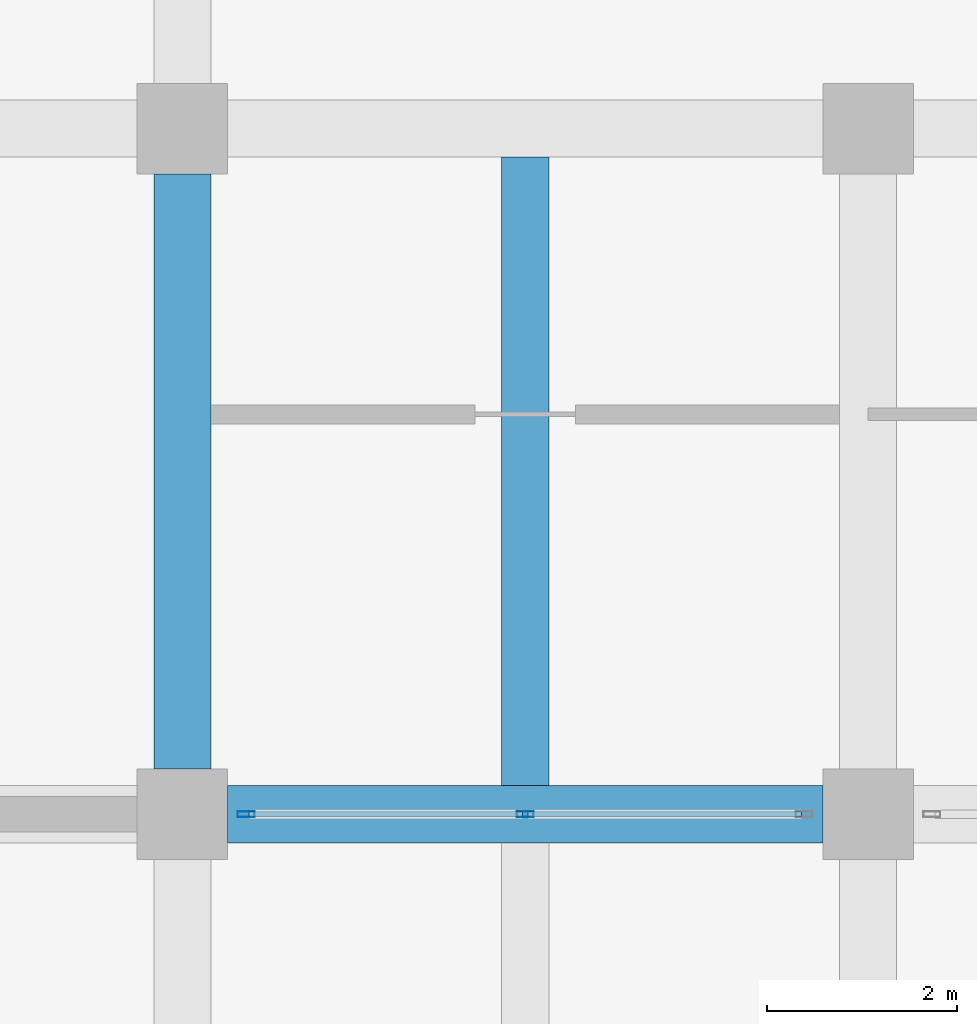
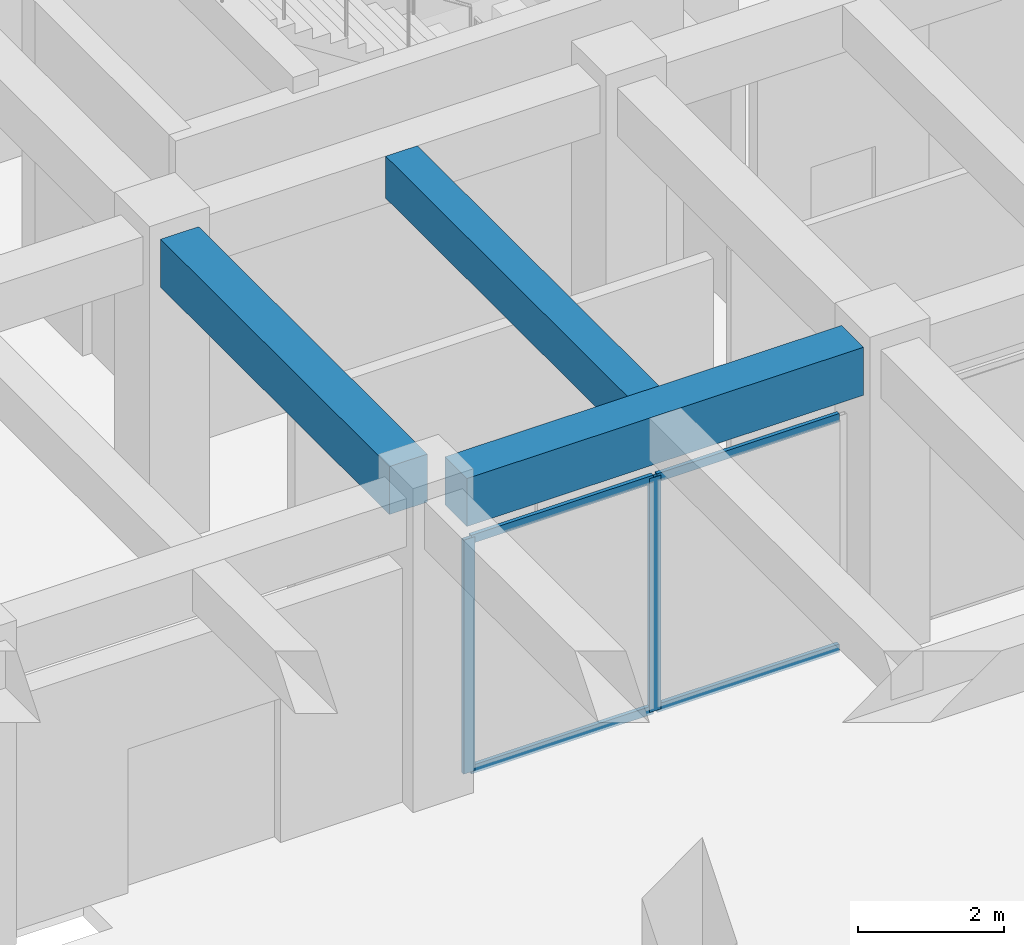
# One storey, part 4 of 56: 6 members, 3 beams, 1 element without a shape of its own.
"""IFC4 building model written with IfcOpenShell, lengths in metres."""

import ifcopenshell
import ifcopenshell.guid

model = None  # the IFC model being written
_history = None  # IfcOwnerHistory: only IFC2X3 demands one
_inside = {}  # id of a spatial element -> (the spatial element, [elements in it])
_under = {}  # id of a project, library or spatial element -> (it, [spatial elements below it])
_declared = {}  # id of a project -> (the project, [libraries it declares])
_typed = {}  # id of a type object -> (the type object, [elements of that type])
_made_of = {}  # id of a material, layer set ... -> (it, [elements and type objects made of it])


def new_model(schema):
    """Start an empty IFC model of exactly this schema.

    Asked for "IFC4X3", IfcOpenShell would pick the latest addendum, in which some entities
    have other attributes; the version numbers below select the first issue.
    IFC2X3 requires an IfcOwnerHistory on every rooted entity: one is made here for all.
    """
    global model, _history
    if schema == "IFC4X3":
        model = ifcopenshell.file(schema_version=(4, 3, 0, 0))
    else:
        model = ifcopenshell.file(schema=schema)
    _inside.clear()
    _under.clear()
    _declared.clear()
    _typed.clear()
    _made_of.clear()
    _history = None
    if model.schema == "IFC2X3":
        org = make("IfcOrganization", Name="unknown")
        user = make(
            "IfcPersonAndOrganization",
            ThePerson=make("IfcPerson", FamilyName="unknown"),
            TheOrganization=org,
        )
        app = make(
            "IfcApplication",
            ApplicationDeveloper=org,
            Version="unknown",
            ApplicationFullName="unknown",
            ApplicationIdentifier="unknown",
        )
        _history = make(
            "IfcOwnerHistory",
            OwningUser=user,
            OwningApplication=app,
            ChangeAction="ADDED",
            CreationDate=0,
        )
    return model


def make(cls, **values):
    """One entity of the class cls with the attributes given. An attribute that is None is left unset."""
    return model.create_entity(
        cls, **{name: value for name, value in values.items() if value is not None}
    )


def rooted(cls, **values):
    """An entity with a GlobalId (a new one), such as an element, a storey or a relation."""
    return make(cls, GlobalId=ifcopenshell.guid.new(), OwnerHistory=_history, **values)


def si_unit(unit_type, name, prefix=None):
    """IfcSIUnit, for example si_unit("LENGTHUNIT", "METRE", prefix="MILLI")."""
    return make("IfcSIUnit", UnitType=unit_type, Prefix=prefix, Name=name)


def assignment(units):
    """IfcUnitAssignment: the units of a project."""
    return None if units is None else make("IfcUnitAssignment", Units=units)


def point(xyz):
    """IfcCartesianPoint."""
    return None if xyz is None else make("IfcCartesianPoint", Coordinates=xyz)


def direction(xyz):
    """IfcDirection."""
    return None if xyz is None else make("IfcDirection", DirectionRatios=xyz)


def frame(location, z_axis=None, x_axis=None):
    """IfcAxis2Placement3D, a coordinate frame: its origin and axes. An axis left out is left unset."""
    return make(
        "IfcAxis2Placement3D",
        Location=point(location),
        Axis=direction(z_axis),
        RefDirection=direction(x_axis),
    )


def frame_2d(location, x_axis=None):
    """IfcAxis2Placement2D, a coordinate frame in the plane: its origin and x axis."""
    return make(
        "IfcAxis2Placement2D", Location=point(location), RefDirection=direction(x_axis)
    )


def origin():
    """The frame at (0, 0, 0) with its axes left unset."""
    return frame((0.0, 0.0, 0.0))


def origin_2d():
    """The frame at (0, 0) in the plane with its x axis left unset."""
    return frame_2d((0.0, 0.0))


def place(relative_to, where):
    """IfcLocalPlacement: puts the frame where relative to a parent placement (None: the world)."""
    return make(
        "IfcLocalPlacement", PlacementRelTo=relative_to, RelativePlacement=where
    )


def context(
    kind, dimensions, precision=None, world=None, true_north=None, identifier=None
):
    """IfcGeometricRepresentationContext, for example the 3D "Model" context."""
    return make(
        "IfcGeometricRepresentationContext",
        ContextIdentifier=identifier,
        ContextType=kind,
        CoordinateSpaceDimension=dimensions,
        Precision=precision,
        WorldCoordinateSystem=world,
        TrueNorth=true_north,
    )


def subcontext(parent, identifier, kind, view, scale=None):
    """IfcGeometricRepresentationSubContext, for example "Body" below "Model"."""
    return make(
        "IfcGeometricRepresentationSubContext",
        ContextIdentifier=identifier,
        ContextType=kind,
        ParentContext=parent,
        TargetScale=scale,
        TargetView=view,
    )


def project(units=None, contexts=None):
    """IfcProject with its units and contexts."""
    return rooted(
        "IfcProject",
        Name="project",
        RepresentationContexts=contexts,
        UnitsInContext=assignment(units),
    )


def spatial(cls, under=None, at=None, **own):
    """A site, building, storey or space (cls), placed at a placement, below another one or the project."""
    s = rooted(cls, ObjectPlacement=at, **own)
    if under is not None:
        _under.setdefault(under.id(), (under, []))[1].append(s)
    return s


def profile(cls, at=None, kind="AREA", **sizes):
    """A parametric profile (cls). Its sizes go by their IFC names, for example OverallWidth=200.0."""
    return make(cls, ProfileType=kind, Position=at, **sizes)


def rectangle(**sizes):
    """IfcRectangleProfileDef."""
    return profile("IfcRectangleProfileDef", **sizes)


def hollow_rectangle(**sizes):
    """IfcRectangleHollowProfileDef."""
    return profile("IfcRectangleHollowProfileDef", **sizes)


def extrude(swept, where, along, depth):
    """IfcExtrudedAreaSolid: the profile swept, set in the frame where, extruded along a direction by depth."""
    return make(
        "IfcExtrudedAreaSolid",
        SweptArea=swept,
        Position=where,
        ExtrudedDirection=direction(along),
        Depth=depth,
    )


def shape(context_of_items, identifier, shape_type, items):
    """IfcShapeRepresentation: the items that make up one representation, for example the "Body"."""
    return make(
        "IfcShapeRepresentation",
        ContextOfItems=context_of_items,
        RepresentationIdentifier=identifier,
        RepresentationType=shape_type,
        Items=items,
    )


def material(Name=None, Category=None):
    """IfcMaterial."""
    return make("IfcMaterial", Name=Name, Category=Category)


def material_profile(
    of_material, cross_section, Name=None, Category=None, Priority=None
):
    """IfcMaterialProfile: a cross section and its material."""
    return make(
        "IfcMaterialProfile",
        Name=Name,
        Material=of_material,
        Profile=cross_section,
        Priority=Priority,
        Category=Category,
    )


def profile_set(profiles, Name=None, composite=None):
    """IfcMaterialProfileSet."""
    return make(
        "IfcMaterialProfileSet",
        Name=Name,
        MaterialProfiles=profiles,
        CompositeProfile=composite,
    )


def made_of(thing, what):
    """Note that an element or type object is made of a material, layer set ...; save() writes the relation."""
    if what is not None:
        _made_of.setdefault(what.id(), (what, []))[1].append(thing)
    return thing


def type_object(cls, material=None, **own):
    """A type object (cls), such as IfcWallType, which elements share."""
    return made_of(rooted(cls, **own), material)


def element(
    cls,
    number,
    at=None,
    inside=None,
    cuts=None,
    type_object=None,
    material=None,
    context=None,
    identifier="Body",
    shape_type=None,
    held_by="IfcProductDefinitionShape",
    body=None,
    shapes=None,
    **own,
):
    """One element of the class cls, such as IfcWall. Its Tag is "e" and its number.

    at: its placement. inside: the storey or other place that contains it. cuts: it is an
    opening in that element (IfcRelVoidsElement). A single representation is given by context,
    identifier, shape_type and body (its items); several are given by shapes. held_by: the class
    of the entity that holds the representations. save() writes the other relations.
    """
    e = rooted(cls, Tag="e%d" % number, ObjectPlacement=at, **own)
    if body is not None:
        shapes = [shape(context, identifier, shape_type, body)]
    if shapes is not None:
        e.Representation = make(held_by, Representations=shapes)
    if inside is not None:
        _inside.setdefault(inside.id(), (inside, []))[1].append(e)
    if cuts is not None:
        rooted(
            "IfcRelVoidsElement", RelatingBuildingElement=cuts, RelatedOpeningElement=e
        )
    if type_object is not None:
        _typed.setdefault(type_object.id(), (type_object, []))[1].append(e)
    return made_of(e, material)


def aggregate(whole, parts):
    """IfcRelAggregates: a whole, such as a stair, and the parts it consists of."""
    return rooted("IfcRelAggregates", RelatingObject=whole, RelatedObjects=parts)


def save(model, path):
    """Write the relations noted so far, then the file.

    IfcRelAggregates (storeys below a building ...), IfcRelContainedInSpatialStructure (elements
    in a storey), IfcRelDefinesByType, IfcRelAssociatesMaterial and IfcRelDeclares: one each for
    every whole, place, type object, material and project.
    """
    for whole, parts in _under.values():
        aggregate(whole, parts)
    for where, things in _inside.values():
        rooted(
            "IfcRelContainedInSpatialStructure",
            RelatedElements=things,
            RelatingStructure=where,
        )
    for kind, things in _typed.values():
        rooted("IfcRelDefinesByType", RelatedObjects=things, RelatingType=kind)
    for what, things in _made_of.values():
        rooted("IfcRelAssociatesMaterial", RelatedObjects=things, RelatingMaterial=what)
    for by, libraries in _declared.values():
        rooted("IfcRelDeclares", RelatingContext=by, RelatedDefinitions=libraries)
    model.write(path)


model = new_model("IFC4")

# Units and contexts
model_context = context("Model", 3, precision=1e-05, world=origin(), true_north=direction((0.0, 1.0)))
body_context = subcontext(model_context, "Body", "Model", "MODEL_VIEW")
ifc_project = project(units=[si_unit("LENGTHUNIT", "METRE"), si_unit("AREAUNIT", "SQUARE_METRE"), si_unit("VOLUMEUNIT", "CUBIC_METRE"), si_unit("PLANEANGLEUNIT", "RADIAN"), si_unit("MASSUNIT", "GRAM", prefix="KILO")], contexts=[model_context])

# Site, building, storey
site_placement = place(None, origin())
site = spatial("IfcSite", under=ifc_project, at=site_placement, CompositionType="ELEMENT")
building_placement = place(site_placement, origin())
building = spatial("IfcBuilding", under=site, at=building_placement, Name="Kazehaya Institute of Natural Sciences", CompositionType="ELEMENT")
storey_placement = place(building_placement, origin())
storey = spatial("IfcBuildingStorey", under=building, at=storey_placement, Name="L00", CompositionType="ELEMENT", Elevation=0.0)

# Beams
ifc_material_1 = material(Name="Concrete Fc36", Category="concrete")
ifc_material_profile_1 = material_profile(ifc_material_1, rectangle(XDim=0.60009765625, YDim=0.800048828125, at=origin_2d()), Name="RC-600x800")
ifc_profile_set_1 = profile_set([ifc_material_profile_1], Name="Concrete Fc36")
beam_type_1 = type_object("IfcBeamType", Name="BM-G-600x800", PredefinedType="BEAM", material=ifc_profile_set_1)
for number, where, z_axis, x_axis, name in (
    (1, (62.27490234375, 14.0, 4.72998046875), (1.0, 0.0, 0.0), (0.0, 1.0, 0.0), "L00 primary X girder BMX-L00-618-140"),
    (2, (61.800048828125, 14.47509765625, 4.72998046875), (0.0, 1.0, 0.0), (-1.0, 0.0, 0.0), "L00 primary Y girder BMY-L00-618-140"),
):
    element("IfcBeam", number, at=place(storey_placement, frame(where, z_axis=z_axis, x_axis=x_axis)), inside=storey, type_object=beam_type_1, Name=name, PredefinedType="BEAM", context=body_context, shape_type="SweptSolid", body=[
        extrude(rectangle(XDim=0.60009765625, YDim=0.800048828125, at=origin_2d()), origin(), (0.0, 0.0, 1.0), 6.25),
    ])
ifc_material_profile_2 = material_profile(ifc_material_1, rectangle(XDim=0.5, YDim=0.699951171875, at=origin_2d()), Name="RC-500x700")
ifc_profile_set_2 = profile_set([ifc_material_profile_2], Name="Concrete Fc36")
beam_type_2 = type_object("IfcBeamType", Name="BM-J-500x700", PredefinedType="JOIST", material=ifc_profile_set_2)
beam_placement = place(storey_placement, frame((65.39990234375, 14.300048828125, 4.780029296875), z_axis=(0.0, 1.0, 0.0), x_axis=(-1.0, 0.0, 0.0)))
element("IfcBeam", 3, at=beam_placement, inside=storey, type_object=beam_type_2, Name="L00 secondary lab beam JST-L00-0012", PredefinedType="JOIST", context=body_context, shape_type="SweptSolid", body=[
    extrude(rectangle(XDim=0.5, YDim=0.699951171875, at=origin_2d()), origin(), (0.0, 0.0, 1.0), 6.599853515625),
])

# Curtain wall, members
ifc_material_2 = material(Name="Aluminium alloy A6063S-T5", Category="aluminium")
curtain_wall_type = type_object("IfcCurtainWallType", Name="CW-SYS-01", PredefinedType="NOTDEFINED", material=ifc_material_2)
curtain_wall_placement = place(storey_placement, origin())
curtain_wall = element("IfcCurtainWall", 4, at=curtain_wall_placement, inside=storey, type_object=curtain_wall_type, Name="L00 unitised curtain wall CW-L00-006", PredefinedType="NOTDEFINED")
ifc_material_profile_3 = material_profile(ifc_material_2, hollow_rectangle(XDim=0.06005859375, YDim=0.179931640625, WallThickness=0.00390625, at=origin_2d()), Name="ALU-60x180x4")
ifc_profile_set_3 = profile_set([ifc_material_profile_3], Name="Aluminium alloy A6063S-T5")
member_type_1 = type_object("IfcMemberType", Name="CWM-180", PredefinedType="MULLION", material=ifc_profile_set_3)
member_1_placement = place(storey_placement, frame((65.39990234375, 14.0, 0.0), z_axis=(0.0, 0.0, 1.0), x_axis=(0.0, -1.0, 0.0)))
member_1 = element("IfcMember", 5, at=member_1_placement, type_object=member_type_1, Name="CW01 mullion 2", PredefinedType="MULLION", context=body_context, shape_type="SweptSolid", body=[
    extrude(hollow_rectangle(XDim=0.06005859375, YDim=0.179931640625, WallThickness=0.00390625, at=origin_2d()), origin(), (0.0, 0.0, 1.0), 3.89990234375),
])
member_2_placement = place(storey_placement, frame((62.469970703125, 14.0, 0.0), z_axis=(0.0, 0.0, 1.0), x_axis=(0.0, -1.0, 0.0)))
member_2 = element("IfcMember", 6, at=member_2_placement, type_object=member_type_1, Name="CW01 mullion 3", PredefinedType="MULLION", context=body_context, shape_type="SweptSolid", body=[
    extrude(hollow_rectangle(XDim=0.06005859375, YDim=0.179931640625, WallThickness=0.00390625, at=origin_2d()), origin(), (0.0, 0.0, 1.0), 3.89990234375),
])
ifc_material_profile_4 = material_profile(ifc_material_2, hollow_rectangle(XDim=0.06005859375, YDim=0.139892578125, WallThickness=0.00341796875, at=origin_2d()), Name="ALU-60x140x3.5")
ifc_profile_set_4 = profile_set([ifc_material_profile_4], Name="Aluminium alloy A6063S-T5")
member_type_2 = type_object("IfcMemberType", Name="CWT-140", PredefinedType="USERDEFINED", material=ifc_profile_set_4)
member_3_placement = place(storey_placement, frame((68.300048828125, 14.0, 0.030029296875), z_axis=(-1.0, 0.0, 0.0), x_axis=(0.0, -1.0, 0.0)))
member_3 = element("IfcMember", 7, at=member_3_placement, type_object=member_type_2, Name="CW01 transom 1.1", ObjectType="TRANSOM", PredefinedType="USERDEFINED", context=body_context, shape_type="SweptSolid", body=[
    extrude(hollow_rectangle(XDim=0.06005859375, YDim=0.139892578125, WallThickness=0.00341796875, at=origin_2d()), origin(), (0.0, 0.0, 1.0), 2.8701171875),
])
member_4_placement = place(storey_placement, frame((68.300048828125, 14.0, 3.8701171875), z_axis=(-1.0, 0.0, 0.0), x_axis=(0.0, -1.0, 0.0)))
member_4 = element("IfcMember", 8, at=member_4_placement, type_object=member_type_2, Name="CW01 transom 1.2", ObjectType="TRANSOM", PredefinedType="USERDEFINED", context=body_context, shape_type="SweptSolid", body=[
    extrude(hollow_rectangle(XDim=0.06005859375, YDim=0.139892578125, WallThickness=0.00341796875, at=origin_2d()), origin(), (0.0, 0.0, 1.0), 2.8701171875),
])
member_5_placement = place(storey_placement, frame((65.3701171875, 14.0, 0.030029296875), z_axis=(-1.0, 0.0, 0.0), x_axis=(0.0, -1.0, 0.0)))
member_5 = element("IfcMember", 9, at=member_5_placement, type_object=member_type_2, Name="CW01 transom 2.1", ObjectType="TRANSOM", PredefinedType="USERDEFINED", context=body_context, shape_type="SweptSolid", body=[
    extrude(hollow_rectangle(XDim=0.06005859375, YDim=0.139892578125, WallThickness=0.00341796875, at=origin_2d()), origin(), (0.0, 0.0, 1.0), 2.8701171875),
])
member_6_placement = place(storey_placement, frame((65.3701171875, 14.0, 3.8701171875), z_axis=(-1.0, 0.0, 0.0), x_axis=(0.0, -1.0, 0.0)))
member_6 = element("IfcMember", 10, at=member_6_placement, type_object=member_type_2, Name="CW01 transom 2.2", ObjectType="TRANSOM", PredefinedType="USERDEFINED", context=body_context, shape_type="SweptSolid", body=[
    extrude(hollow_rectangle(XDim=0.06005859375, YDim=0.139892578125, WallThickness=0.00341796875, at=origin_2d()), origin(), (0.0, 0.0, 1.0), 2.8701171875),
])
aggregate(curtain_wall, [member_1, member_2, member_3, member_4, member_5, member_6])

save(model, "model.ifc")
